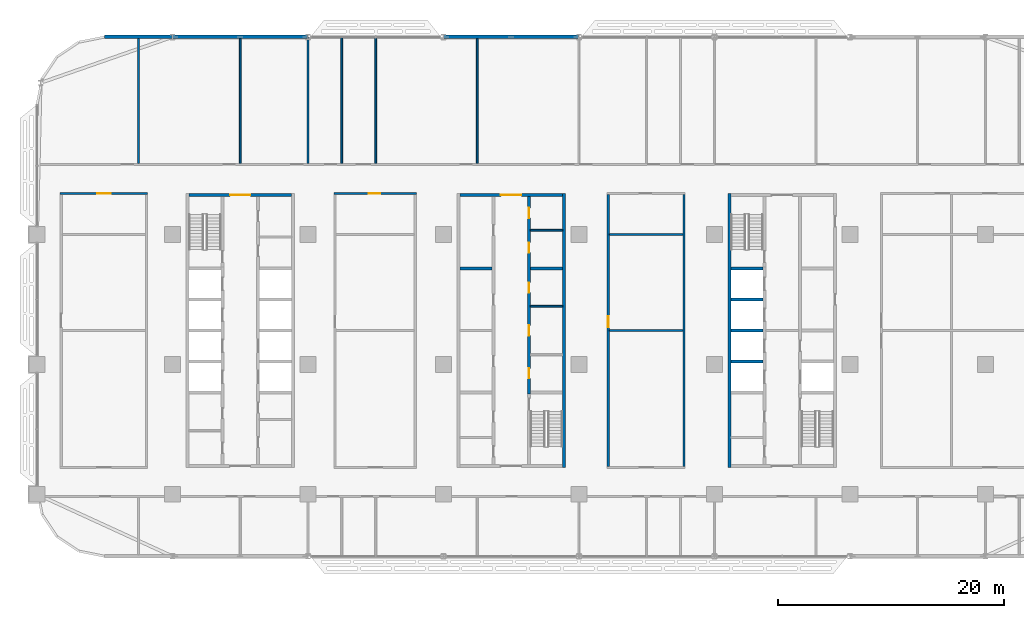
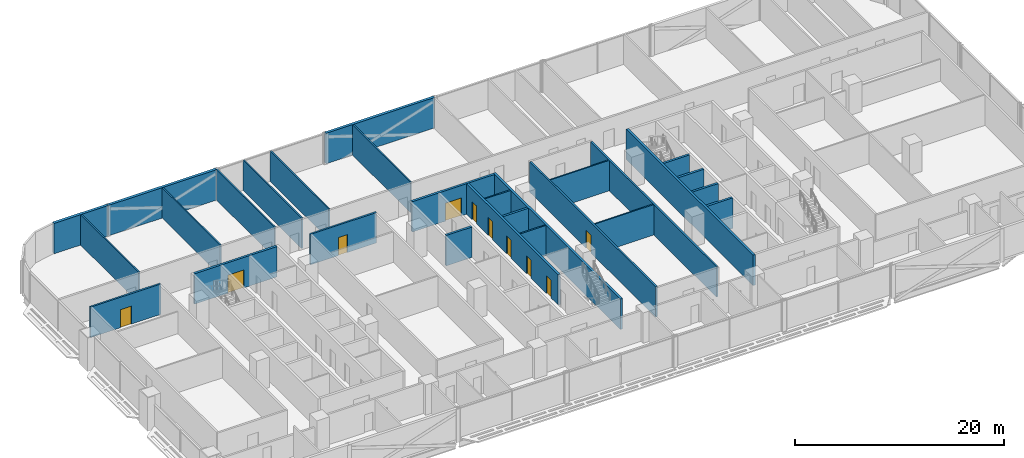
# One storey, part 14 of 29: 28 walls, 10 doors, 10 openings.
"""IFC4 building model written with IfcOpenShell, lengths in metres."""

from ifc_helpers import new_model, si_unit, direction, frame, frame_2d, origin, place, context, subcontext, project, spatial, rectangle, extrude, material, layer, layer_set, type_object, element, fill, save


model = new_model("IFC4")

# Units and contexts
model_context = context("Model", 3, precision=1e-05, world=origin(), true_north=direction((0.0, 1.0)))
body_context = subcontext(model_context, "Body", "Model", "MODEL_VIEW")
ifc_project = project(units=[si_unit("LENGTHUNIT", "METRE"), si_unit("AREAUNIT", "SQUARE_METRE"), si_unit("VOLUMEUNIT", "CUBIC_METRE"), si_unit("PLANEANGLEUNIT", "RADIAN"), si_unit("MASSUNIT", "GRAM", prefix="KILO")], contexts=[model_context])

# Site, building, storey
site_placement = place(None, origin())
site = spatial("IfcSite", under=ifc_project, at=site_placement, CompositionType="ELEMENT")
building_placement = place(site_placement, origin())
building = spatial("IfcBuilding", under=site, at=building_placement, Name="Mahtab Terrace Research Tower", CompositionType="ELEMENT")
storey_placement = place(building_placement, frame((0.0, 0.0, 113.5)))
storey = spatial("IfcBuildingStorey", under=building, at=storey_placement, Name="L26", CompositionType="ELEMENT", Elevation=113.5)

# Walls
ifc_material_1 = material(Name="Gypsum board partition")
ifc_layer_1 = layer(ifc_material_1, 0.14990234375)
ifc_layer_set_1 = layer_set([ifc_layer_1], Name="Core partition 150")
wall_type_1 = type_object("IfcWallType", Name="Core partition 150", PredefinedType="PARTITIONING", material=ifc_layer_set_1)
for number, where, z_axis, x_axis, name in (
    (1, (1.699951171875, 5.14990234375, 0.0), (0.0, 0.0, 1.0), (1.0, 0.0, 0.0), "Core wall B pEL215"),
    (2, (1.699951171875, 11.875, 0.0), (0.0, 0.0, 1.0), (1.0, 0.0, 0.0), "Core wall B pEN888"),
):
    element("IfcWall", number, at=place(storey_placement, frame(where, z_axis=z_axis, x_axis=x_axis)), inside=storey, type_object=wall_type_1, Name=name, PredefinedType="PARTITIONING", context=body_context, shape_type="SweptSolid", body=[
        extrude(rectangle(XDim=2.85009765625, YDim=0.14990234375, at=frame_2d((1.425048828125, 0.0))), origin(), (0.0, 0.0, 1.0), 3.550048828125),
    ])

# Wall, opening, door
ifc_material_2 = material(Name="Concrete C70/85", Category="concrete")
ifc_layer_2 = layer(ifc_material_2, 0.25)
ifc_layer_set_2 = layer_set([ifc_layer_2], Name="Core wall 250")
wall_type_2 = type_object("IfcWallType", Name="Core wall 250", PredefinedType="SOLIDWALL", material=ifc_layer_set_2)
wall_1_placement = place(storey_placement, frame((-28.550048828125, 15.0, 0.0), z_axis=(0.0, 0.0, 1.0), x_axis=(1.0, 0.0, 0.0)))
wall_1 = element("IfcWall", 3, at=wall_1_placement, inside=storey, type_object=wall_type_2, Name="Core wall A endN", PredefinedType="SOLIDWALL", context=body_context, shape_type="SweptSolid", body=[
    extrude(rectangle(XDim=9.10009765625, YDim=0.25, at=frame_2d((4.550048828125, 0.0))), origin(), (0.0, 0.0, 1.0), 3.550048828125),
])
opening_1_placement = place(wall_1_placement, frame((3.64990234375, 0.0, 0.0)))
opening_1 = element("IfcOpeningElement", 4, at=opening_1_placement, cuts=wall_1, Name="Opening A-N1", PredefinedType="OPENING", context=body_context, shape_type="SweptSolid", body=[
    extrude(rectangle(XDim=1.800048828125, YDim=2.10009765625, at=frame_2d((0.89990234375, 1.050048828125))), frame((0.0, 0.135009765625, 0.0), z_axis=(0.0, -1.0, 0.0), x_axis=(1.0, 0.0, 0.0)), (0.0, 0.0, 1.0), 0.27001953125),
])
ifc_material_3 = material(Name="Steel fire door", Category="steel")
door_type_1 = type_object("IfcDoorType", Name="Lobby double door 1800x2100 1 HR", OperationType="DOUBLE_DOOR_SINGLE_SWING", PredefinedType="DOOR", material=ifc_material_3)
door_1_placement = place(opening_1_placement, origin())
door_1 = element("IfcDoor", 5, at=door_1_placement, inside=storey, type_object=door_type_1, Name="Core entrance door A N", OperationType="DOUBLE_DOOR_SINGLE_SWING", OverallHeight=2.10009765625, OverallWidth=1.800048828125, PredefinedType="DOOR", context=body_context, shape_type="SweptSolid", body=[
    extrude(rectangle(XDim=1.800048828125, YDim=2.10009765625, at=frame_2d((0.89990234375, 1.050048828125))), frame((0.0, 0.02490234375, 0.0), z_axis=(0.0, -1.0, 0.0), x_axis=(1.0, 0.0, 0.0)), (0.0, 0.0, 1.0), 0.050048828125),
])
fill(opening_1, door_1)

# Wall
wall_2_placement = place(storey_placement, frame((4.675048828125, -9.125, 0.0), z_axis=(0.0, 0.0, 1.0), x_axis=(0.0, 1.0, 0.0)))
element("IfcWall", 6, at=wall_2_placement, inside=storey, type_object=wall_type_2, Name="Core wall B outerE", PredefinedType="SOLIDWALL", context=body_context, shape_type="SweptSolid", body=[
    extrude(rectangle(XDim=24.25, YDim=0.25, at=frame_2d((12.125, 0.0))), origin(), (0.0, 0.0, 1.0), 3.550048828125),
])

# Wall, opening, door
wall_3_placement = place(storey_placement, frame((-4.550048828125, 15.0, 0.0), z_axis=(0.0, 0.0, 1.0), x_axis=(1.0, 0.0, 0.0)))
wall_3 = element("IfcWall", 7, at=wall_3_placement, inside=storey, type_object=wall_type_2, Name="Core wall B endN", PredefinedType="SOLIDWALL", context=body_context, shape_type="SweptSolid", body=[
    extrude(rectangle(XDim=9.10009765625, YDim=0.25, at=frame_2d((4.550048828125, 0.0))), origin(), (0.0, 0.0, 1.0), 3.550048828125),
])
opening_2_placement = place(wall_3_placement, frame((3.64990234375, 0.0, 0.0)))
opening_2 = element("IfcOpeningElement", 8, at=opening_2_placement, cuts=wall_3, Name="Opening B-N1", PredefinedType="OPENING", context=body_context, shape_type="SweptSolid", body=[
    extrude(rectangle(XDim=1.800048828125, YDim=2.10009765625, at=frame_2d((0.89990234375, 1.050048828125))), frame((0.0, 0.135009765625, 0.0), z_axis=(0.0, -1.0, 0.0), x_axis=(1.0, 0.0, 0.0)), (0.0, 0.0, 1.0), 0.27001953125),
])
door_2_placement = place(opening_2_placement, origin())
door_2 = element("IfcDoor", 9, at=door_2_placement, inside=storey, type_object=door_type_1, Name="Core entrance door B N", OperationType="DOUBLE_DOOR_SINGLE_SWING", OverallHeight=2.10009765625, OverallWidth=1.800048828125, PredefinedType="DOOR", context=body_context, shape_type="SweptSolid", body=[
    extrude(rectangle(XDim=1.800048828125, YDim=2.10009765625, at=frame_2d((0.89990234375, 1.050048828125))), frame((0.0, 0.02490234375, 0.0), z_axis=(0.0, -1.0, 0.0), x_axis=(1.0, 0.0, 0.0)), (0.0, 0.0, 1.0), 0.050048828125),
])
fill(opening_2, door_2)

# Wall, openings, doors
wall_4_placement = place(storey_placement, frame((1.574951171875, 14.875, 0.0), z_axis=(0.0, 0.0, 1.0), x_axis=(0.0, -1.0, 0.0)))
wall_4 = element("IfcWall", 10, at=wall_4_placement, inside=storey, type_object=wall_type_2, Name="Core wall B innerELN", PredefinedType="SOLIDWALL", context=body_context, shape_type="SweptSolid", body=[
    extrude(rectangle(XDim=17.5, YDim=0.25, at=frame_2d((8.75, 0.0))), origin(), (0.0, 0.0, 1.0), 3.550048828125),
])
opening_3_placement = place(wall_4_placement, frame((15.22509765625, 0.0, 0.0)))
opening_3 = element("IfcOpeningElement", 11, at=opening_3_placement, cuts=wall_4, Name="Opening B-R3", PredefinedType="OPENING", context=body_context, shape_type="SweptSolid", body=[
    extrude(rectangle(XDim=0.89990234375, YDim=2.10009765625, at=frame_2d((0.449951171875, 1.050048828125))), frame((0.0, 0.135009765625, 0.0), z_axis=(0.0, -1.0, 0.0), x_axis=(1.0, 0.0, 0.0)), (0.0, 0.0, 1.0), 0.27001953125),
])
opening_4_placement = place(wall_4_placement, frame((11.425048828125, 0.0, 0.0)))
opening_4 = element("IfcOpeningElement", 12, at=opening_4_placement, cuts=wall_4, Name="Opening B-R4", PredefinedType="OPENING", context=body_context, shape_type="SweptSolid", body=[
    extrude(rectangle(XDim=0.89990234375, YDim=2.10009765625, at=frame_2d((0.449951171875, 1.050048828125))), frame((0.0, 0.135009765625, 0.0), z_axis=(0.0, -1.0, 0.0), x_axis=(1.0, 0.0, 0.0)), (0.0, 0.0, 1.0), 0.27001953125),
])
opening_5_placement = place(wall_4_placement, frame((7.625, 0.0, 0.0)))
opening_5 = element("IfcOpeningElement", 13, at=opening_5_placement, cuts=wall_4, Name="Opening B-R5", PredefinedType="OPENING", context=body_context, shape_type="SweptSolid", body=[
    extrude(rectangle(XDim=0.89990234375, YDim=2.10009765625, at=frame_2d((0.449951171875, 1.050048828125))), frame((0.0, 0.135009765625, 0.0), z_axis=(0.0, -1.0, 0.0), x_axis=(1.0, 0.0, 0.0)), (0.0, 0.0, 1.0), 0.27001953125),
])
opening_6_placement = place(wall_4_placement, frame((4.08740234375, 0.0, 0.0)))
opening_6 = element("IfcOpeningElement", 14, at=opening_6_placement, cuts=wall_4, Name="Opening B-R9", PredefinedType="OPENING", context=body_context, shape_type="SweptSolid", body=[
    extrude(rectangle(XDim=0.89990234375, YDim=2.10009765625, at=frame_2d((0.449951171875, 1.050048828125))), frame((0.0, 0.135009765625, 0.0), z_axis=(0.0, -1.0, 0.0), x_axis=(1.0, 0.0, 0.0)), (0.0, 0.0, 1.0), 0.27001953125),
])
opening_7_placement = place(wall_4_placement, frame((1.012451171875, 0.0, 0.0)))
opening_7 = element("IfcOpeningElement", 15, at=opening_7_placement, cuts=wall_4, Name="Opening B-R10", PredefinedType="OPENING", context=body_context, shape_type="SweptSolid", body=[
    extrude(rectangle(XDim=0.89990234375, YDim=2.10009765625, at=frame_2d((0.449951171875, 1.050048828125))), frame((0.0, 0.135009765625, 0.0), z_axis=(0.0, -1.0, 0.0), x_axis=(1.0, 0.0, 0.0)), (0.0, 0.0, 1.0), 0.27001953125),
])
door_type_2 = type_object("IfcDoorType", Name="Room door 900x2100 1 HR", OperationType="NOTDEFINED", PredefinedType="DOOR", material=ifc_material_3)
door_3_placement = place(opening_3_placement, origin())
door_3 = element("IfcDoor", 16, at=door_3_placement, inside=storey, type_object=door_type_2, Name="Electrical room door", OperationType="SINGLE_SWING_LEFT", OverallHeight=2.10009765625, OverallWidth=0.89990234375, PredefinedType="DOOR", context=body_context, shape_type="SweptSolid", body=[
    extrude(rectangle(XDim=0.89990234375, YDim=2.10009765625, at=frame_2d((0.449951171875, 1.050048828125))), frame((0.0, 0.02490234375, 0.0), z_axis=(0.0, -1.0, 0.0), x_axis=(1.0, 0.0, 0.0)), (0.0, 0.0, 1.0), 0.050048828125),
])
fill(opening_3, door_3)
door_4_placement = place(opening_4_placement, origin())
door_4 = element("IfcDoor", 17, at=door_4_placement, inside=storey, type_object=door_type_2, Name="Pantry door", OperationType="SINGLE_SWING_RIGHT", OverallHeight=2.10009765625, OverallWidth=0.89990234375, PredefinedType="DOOR", context=body_context, shape_type="SweptSolid", body=[
    extrude(rectangle(XDim=0.89990234375, YDim=2.10009765625, at=frame_2d((0.449951171875, 1.050048828125))), frame((0.0, 0.02490234375, 0.0), z_axis=(0.0, -1.0, 0.0), x_axis=(1.0, 0.0, 0.0)), (0.0, 0.0, 1.0), 0.050048828125),
])
fill(opening_4, door_4)
door_5_placement = place(opening_5_placement, origin())
door_5 = element("IfcDoor", 18, at=door_5_placement, inside=storey, type_object=door_type_2, Name="Housekeeping store door", OperationType="SINGLE_SWING_LEFT", OverallHeight=2.10009765625, OverallWidth=0.89990234375, PredefinedType="DOOR", context=body_context, shape_type="SweptSolid", body=[
    extrude(rectangle(XDim=0.89990234375, YDim=2.10009765625, at=frame_2d((0.449951171875, 1.050048828125))), frame((0.0, 0.02490234375, 0.0), z_axis=(0.0, -1.0, 0.0), x_axis=(1.0, 0.0, 0.0)), (0.0, 0.0, 1.0), 0.050048828125),
])
fill(opening_5, door_5)
door_6_placement = place(opening_6_placement, origin())
door_6 = element("IfcDoor", 19, at=door_6_placement, inside=storey, type_object=door_type_2, Name="Staff WC door", OperationType="SINGLE_SWING_LEFT", OverallHeight=2.10009765625, OverallWidth=0.89990234375, PredefinedType="DOOR", context=body_context, shape_type="SweptSolid", body=[
    extrude(rectangle(XDim=0.89990234375, YDim=2.10009765625, at=frame_2d((0.449951171875, 1.050048828125))), frame((0.0, 0.02490234375, 0.0), z_axis=(0.0, -1.0, 0.0), x_axis=(1.0, 0.0, 0.0)), (0.0, 0.0, 1.0), 0.050048828125),
])
fill(opening_6, door_6)
door_7_placement = place(opening_7_placement, origin())
door_7 = element("IfcDoor", 20, at=door_7_placement, inside=storey, type_object=door_type_2, Name="Accessible WC door", OperationType="SINGLE_SWING_RIGHT", OverallHeight=2.10009765625, OverallWidth=0.89990234375, PredefinedType="DOOR", context=body_context, shape_type="SweptSolid", body=[
    extrude(rectangle(XDim=0.89990234375, YDim=2.10009765625, at=frame_2d((0.449951171875, 1.050048828125))), frame((0.0, 0.02490234375, 0.0), z_axis=(0.0, -1.0, 0.0), x_axis=(1.0, 0.0, 0.0)), (0.0, 0.0, 1.0), 0.050048828125),
])
fill(opening_7, door_7)

# Walls
for number, where, z_axis, x_axis, name in (
    (21, (-4.550048828125, 8.5, 0.0), (0.0, 0.0, 1.0), (1.0, 0.0, 0.0), "Core wall B divW4"),
    (22, (1.699951171875, 8.5, 0.0), (0.0, 0.0, 1.0), (1.0, 0.0, 0.0), "Core wall B divE4"),
):
    element("IfcWall", number, at=place(storey_placement, frame(where, z_axis=z_axis, x_axis=x_axis)), inside=storey, type_object=wall_type_2, Name=name, PredefinedType="SOLIDWALL", context=body_context, shape_type="SweptSolid", body=[
        extrude(rectangle(XDim=2.85009765625, YDim=0.25, at=frame_2d((1.425048828125, 0.0))), origin(), (0.0, 0.0, 1.0), 3.550048828125),
    ])
wall_5_placement = place(storey_placement, frame((19.324951171875, 15.125, 0.0), z_axis=(0.0, 0.0, 1.0), x_axis=(0.0, -1.0, 0.0)))
element("IfcWall", 23, at=wall_5_placement, inside=storey, type_object=wall_type_2, Name="Core wall C outerW", PredefinedType="SOLIDWALL", context=body_context, shape_type="SweptSolid", body=[
    extrude(rectangle(XDim=24.25, YDim=0.25, at=frame_2d((12.125, 0.0))), origin(), (0.0, 0.0, 1.0), 3.550048828125),
])
for number, where, z_axis, x_axis, name in (
    (24, (19.449951171875, 0.25, 0.0), (0.0, 0.0, 1.0), (1.0, 0.0, 0.0), "Core wall C divW1"),
    (25, (19.449951171875, 3.0, 0.0), (0.0, 0.0, 1.0), (1.0, 0.0, 0.0), "Core wall C divW2"),
    (26, (19.449951171875, 5.75, 0.0), (0.0, 0.0, 1.0), (1.0, 0.0, 0.0), "Core wall C divW3"),
    (27, (19.449951171875, 8.5, 0.0), (0.0, 0.0, 1.0), (1.0, 0.0, 0.0), "Core wall C divW4"),
):
    element("IfcWall", number, at=place(storey_placement, frame(where, z_axis=z_axis, x_axis=x_axis)), inside=storey, type_object=wall_type_2, Name=name, PredefinedType="SOLIDWALL", context=body_context, shape_type="SweptSolid", body=[
        extrude(rectangle(XDim=2.85009765625, YDim=0.25, at=frame_2d((1.425048828125, 0.0))), origin(), (0.0, 0.0, 1.0), 3.550048828125),
    ])
ifc_material_4 = material(Name="Black aluminium cladding panel", Category="aluminium")
ifc_layer_3 = layer(ifc_material_4, 0.300048828125)
ifc_layer_set_3 = layer_set([ifc_layer_3], Name="Opaque facade wall 300")
wall_type_3 = type_object("IfcWallType", Name="Opaque facade wall 300", PredefinedType="NOTDEFINED", material=ifc_layer_set_3)
for number, where, z_axis, x_axis, name in (
    (28, (5.97900390625, 29.0, 0.0), (0.0, 0.0, 1.0), (-1.0, 0.0, 0.0), "Opaque facade wall L26 N7"),
    (29, (-18.02099609375, 29.0, 0.0), (0.0, 0.0, 1.0), (-1.0, 0.0, 0.0), "Opaque facade wall L26 N9"),
):
    element("IfcWall", number, at=place(storey_placement, frame(where, z_axis=z_axis, x_axis=x_axis)), inside=storey, type_object=wall_type_3, Name=name, PredefinedType="NOTDEFINED", context=body_context, shape_type="SweptSolid", body=[
        extrude(rectangle(XDim=11.9580078125, YDim=0.300048828125, at=frame_2d((5.97900390625, 0.0))), origin(), (0.0, 0.0, 1.0), 3.550048828125),
    ])
wall_6_placement = place(storey_placement, frame((-30.02099609375, 29.0, 0.0), z_axis=(0.0, 0.0, 1.0), x_axis=(-1.0, 0.0, 0.0)))
element("IfcWall", 30, at=wall_6_placement, inside=storey, type_object=wall_type_3, Name="Opaque facade wall L26 N10", PredefinedType="NOTDEFINED", context=body_context, shape_type="SweptSolid", body=[
    extrude(rectangle(XDim=5.97900390625, YDim=0.300048828125, at=frame_2d((2.989501953125, 0.0))), origin(), (0.0, 0.0, 1.0), 3.550048828125),
])

# Wall, opening, door
ifc_material_5 = material(Name="Gypsum board corridor wall on steel studs", Category="steel")
ifc_layer_4 = layer(ifc_material_5, 0.199951171875)
ifc_layer_set_4 = layer_set([ifc_layer_4], Name="WALL CORRIDOR 200")
wall_type_4 = type_object("IfcWallType", Name="WALL CORRIDOR 200", PredefinedType="PARTITIONING", material=ifc_layer_set_4)
wall_7_placement = place(storey_placement, frame((-39.949951171875, 15.125, 0.0), z_axis=(0.0, 0.0, 1.0), x_axis=(1.0, 0.0, 0.0)))
wall_7 = element("IfcWall", 31, at=wall_7_placement, inside=storey, type_object=wall_type_4, Name="L26-W022", PredefinedType="PARTITIONING", context=body_context, shape_type="SweptSolid", body=[
    extrude(rectangle(XDim=7.75, YDim=0.199951171875, at=frame_2d((3.875, 0.0))), origin(), (0.0, 0.0, 1.0), 3.550048828125),
])
opening_8_placement = place(wall_7_placement, frame((3.300048828125, 0.0, 0.0)))
opening_8 = element("IfcOpeningElement", 32, at=opening_8_placement, cuts=wall_7, Name="Opening L26-127", PredefinedType="OPENING", context=body_context, shape_type="SweptSolid", body=[
    extrude(rectangle(XDim=1.199951171875, YDim=2.10009765625, at=frame_2d((0.60009765625, 1.050048828125))), frame((0.0, 0.10986328125, 0.0), z_axis=(0.0, -1.0, 0.0), x_axis=(1.0, 0.0, 0.0)), (0.0, 0.0, 1.0), 0.219970703125),
])
ifc_material_6 = material(Name="Timber door leaf in steel frame", Category="steel")
door_type_3 = type_object("IfcDoorType", Name="DOOR 1200X2100 FD30S", OperationType="SINGLE_SWING_LEFT", PredefinedType="DOOR", material=ifc_material_6)
door_8_placement = place(opening_8_placement, origin())
door_8 = element("IfcDoor", 33, at=door_8_placement, inside=storey, type_object=door_type_3, Name="Door L26-127", OperationType="SINGLE_SWING_LEFT", OverallHeight=2.10009765625, OverallWidth=1.199951171875, PredefinedType="DOOR", context=body_context, shape_type="SweptSolid", body=[
    extrude(rectangle(XDim=1.199951171875, YDim=2.10009765625, at=frame_2d((0.60009765625, 1.050048828125))), frame((0.0, 0.02490234375, 0.0), z_axis=(0.0, -1.0, 0.0), x_axis=(1.0, 0.0, 0.0)), (0.0, 0.0, 1.0), 0.050048828125),
])
fill(opening_8, door_8)

wall_8_placement = place(storey_placement, frame((-15.699951171875, 15.125, 0.0), z_axis=(0.0, 0.0, 1.0), x_axis=(1.0, 0.0, 0.0)))
wall_8 = element("IfcWall", 34, at=wall_8_placement, inside=storey, type_object=wall_type_4, Name="L26-W023", PredefinedType="PARTITIONING", context=body_context, shape_type="SweptSolid", body=[
    extrude(rectangle(XDim=7.300048828125, YDim=0.199951171875, at=frame_2d((3.64990234375, 0.0))), origin(), (0.0, 0.0, 1.0), 3.550048828125),
])
opening_9_placement = place(wall_8_placement, frame((3.10009765625, 0.0, 0.0)))
opening_9 = element("IfcOpeningElement", 35, at=opening_9_placement, cuts=wall_8, Name="Opening L26-128", PredefinedType="OPENING", context=body_context, shape_type="SweptSolid", body=[
    extrude(rectangle(XDim=1.0, YDim=2.10009765625, at=frame_2d((0.5, 1.050048828125))), frame((0.0, 0.10986328125, 0.0), z_axis=(0.0, -1.0, 0.0), x_axis=(1.0, 0.0, 0.0)), (0.0, 0.0, 1.0), 0.219970703125),
])
door_type_4 = type_object("IfcDoorType", Name="DOOR 1000X2100 FD30S", OperationType="SINGLE_SWING_LEFT", PredefinedType="DOOR", material=ifc_material_6)
door_9_placement = place(opening_9_placement, origin())
door_9 = element("IfcDoor", 36, at=door_9_placement, inside=storey, type_object=door_type_4, Name="Door L26-128", OperationType="SINGLE_SWING_RIGHT", OverallHeight=2.10009765625, OverallWidth=1.0, PredefinedType="DOOR", context=body_context, shape_type="SweptSolid", body=[
    extrude(rectangle(XDim=1.0, YDim=2.10009765625, at=frame_2d((0.5, 1.050048828125))), frame((0.0, 0.02490234375, 0.0), z_axis=(0.0, -1.0, 0.0), x_axis=(1.0, 0.0, 0.0)), (0.0, 0.0, 1.0), 0.050048828125),
])
fill(opening_9, door_9)

wall_9_placement = place(storey_placement, frame((8.60009765625, -9.02490234375, 0.0), z_axis=(0.0, 0.0, 1.0), x_axis=(0.0, 1.0, 0.0)))
wall_9 = element("IfcWall", 37, at=wall_9_placement, inside=storey, type_object=wall_type_4, Name="L26-W045", PredefinedType="PARTITIONING", context=body_context, shape_type="SweptSolid", body=[
    extrude(rectangle(XDim=24.0498046875, YDim=0.199951171875, at=frame_2d((12.02490234375, 0.0))), origin(), (0.0, 0.0, 1.0), 3.550048828125),
])
opening_10_placement = place(wall_9_placement, frame((12.300048828125, 0.0, 0.0)))
opening_10 = element("IfcOpeningElement", 38, at=opening_10_placement, cuts=wall_9, Name="Opening L26-124", PredefinedType="OPENING", context=body_context, shape_type="SweptSolid", body=[
    extrude(rectangle(XDim=1.0, YDim=2.10009765625, at=frame_2d((0.5, 1.050048828125))), frame((0.0, 0.10986328125, 0.0), z_axis=(0.0, -1.0, 0.0), x_axis=(1.0, 0.0, 0.0)), (0.0, 0.0, 1.0), 0.219970703125),
])
door_10_placement = place(opening_10_placement, origin())
door_10 = element("IfcDoor", 39, at=door_10_placement, inside=storey, type_object=door_type_4, Name="Door L26-124", OperationType="SINGLE_SWING_LEFT", OverallHeight=2.10009765625, OverallWidth=1.0, PredefinedType="DOOR", context=body_context, shape_type="SweptSolid", body=[
    extrude(rectangle(XDim=1.0, YDim=2.10009765625, at=frame_2d((0.5, 1.050048828125))), frame((0.0, 0.02490234375, 0.0), z_axis=(0.0, -1.0, 0.0), x_axis=(1.0, 0.0, 0.0)), (0.0, 0.0, 1.0), 0.050048828125),
])
fill(opening_10, door_10)

# Walls
wall_10_placement = place(storey_placement, frame((15.300048828125, -9.02490234375, 0.0), z_axis=(0.0, 0.0, 1.0), x_axis=(0.0, 1.0, 0.0)))
element("IfcWall", 40, at=wall_10_placement, inside=storey, type_object=wall_type_4, Name="L26-W050", PredefinedType="PARTITIONING", context=body_context, shape_type="SweptSolid", body=[
    extrude(rectangle(XDim=24.0498046875, YDim=0.199951171875, at=frame_2d((12.02490234375, 0.0))), origin(), (0.0, 0.0, 1.0), 3.550048828125),
])
ifc_material_7 = material(Name="Gypsum board partition on steel studs", Category="steel")
ifc_layer_5 = layer(ifc_material_7, 0.14990234375)
ifc_layer_set_5 = layer_set([ifc_layer_5], Name="WALL PARTITION 150")
wall_type_5 = type_object("IfcWallType", Name="WALL PARTITION 150", PredefinedType="PARTITIONING", material=ifc_layer_set_5)
for number, where, z_axis, x_axis, name in (
    (41, (8.699951171875, 3.0, 0.0), (0.0, 0.0, 1.0), (1.0, 0.0, 0.0), "L26-W015"),
    (42, (8.699951171875, 11.5, 0.0), (0.0, 0.0, 1.0), (1.0, 0.0, 0.0), "L26-W019"),
):
    element("IfcWall", number, at=place(storey_placement, frame(where, z_axis=z_axis, x_axis=x_axis)), inside=storey, type_object=wall_type_5, Name=name, PredefinedType="PARTITIONING", context=body_context, shape_type="SweptSolid", body=[
        extrude(rectangle(XDim=6.5, YDim=0.14990234375, at=frame_2d((3.25, 0.0))), origin(), (0.0, 0.0, 1.0), 3.550048828125),
    ])
for number, where, z_axis, x_axis, name in (
    (43, (-33.0, 17.800048828125, 0.0), (0.0, 0.0, 1.0), (0.0, 1.0, 0.0), "L26-W029"),
    (44, (-24.0, 17.800048828125, 0.0), (0.0, 0.0, 1.0), (0.0, 1.0, 0.0), "L26-W032"),
):
    element("IfcWall", number, at=place(storey_placement, frame(where, z_axis=z_axis, x_axis=x_axis)), inside=storey, type_object=wall_type_5, Name=name, PredefinedType="PARTITIONING", context=body_context, shape_type="SweptSolid", body=[
        extrude(rectangle(XDim=11.050048828125, YDim=0.14990234375, at=frame_2d((5.52490234375, 0.0))), origin(), (0.0, 0.0, 1.0), 3.550048828125),
    ])
for number, where, z_axis, x_axis, name in (
    (45, (-18.0, 17.800048828125, 0.0), (0.0, 0.0, 1.0), (0.0, 1.0, 0.0), "L26-W034"),
    (46, (-15.0, 17.800048828125, 0.0), (0.0, 0.0, 1.0), (0.0, 1.0, 0.0), "L26-W037"),
    (47, (-12.0, 17.800048828125, 0.0), (0.0, 0.0, 1.0), (0.0, 1.0, 0.0), "L26-W039"),
):
    element("IfcWall", number, at=place(storey_placement, frame(where, z_axis=z_axis, x_axis=x_axis)), inside=storey, type_object=wall_type_5, Name=name, PredefinedType="PARTITIONING", context=body_context, shape_type="SweptSolid", body=[
        extrude(rectangle(XDim=11.175048828125, YDim=0.14990234375, at=frame_2d((5.58740234375, 0.0))), origin(), (0.0, 0.0, 1.0), 3.550048828125),
    ])
wall_11_placement = place(storey_placement, frame((-3.0, 17.800048828125, 0.0), z_axis=(0.0, 0.0, 1.0), x_axis=(0.0, 1.0, 0.0)))
element("IfcWall", 48, at=wall_11_placement, inside=storey, type_object=wall_type_5, Name="L26-W042", PredefinedType="PARTITIONING", context=body_context, shape_type="SweptSolid", body=[
    extrude(rectangle(XDim=11.050048828125, YDim=0.14990234375, at=frame_2d((5.52490234375, 0.0))), origin(), (0.0, 0.0, 1.0), 3.550048828125),
])

save(model, "model.ifc")
